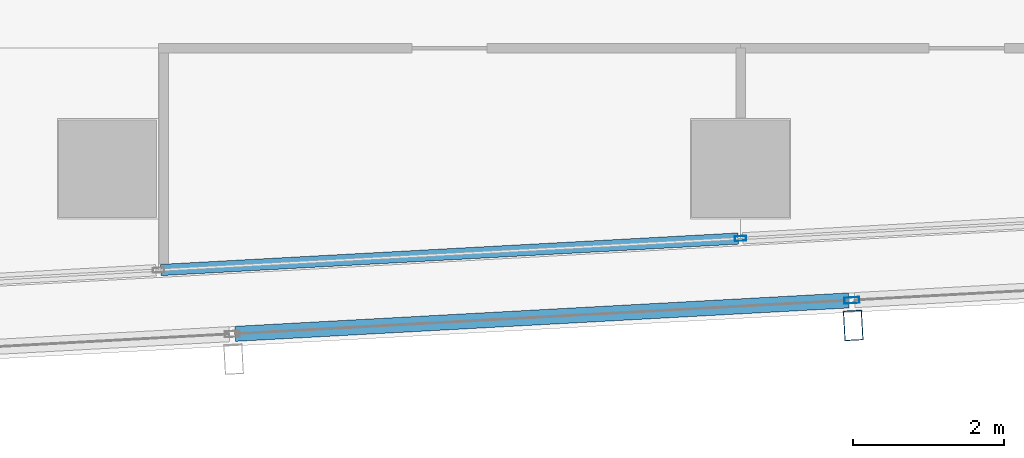
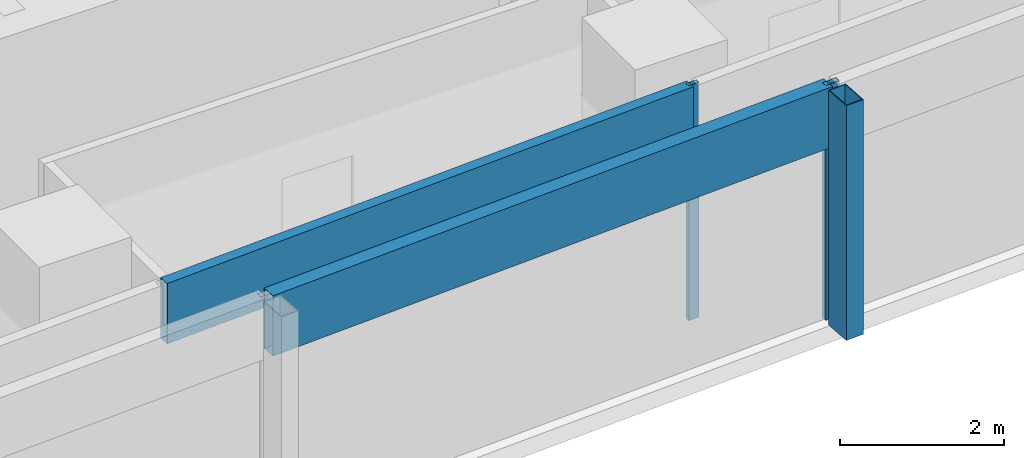
# One storey, part 10 of 29: 5 members, 2 elements without a shape of their own.
"""IFC4 building model written with IfcOpenShell, lengths in metres."""

from ifc_helpers import new_model, si_unit, direction, frame, origin, origin_2d, place, context, subcontext, project, spatial, hollow_rectangle, extrude, material, material_profile, profile_set, type_object, element, aggregate, save


model = new_model("IFC4")

# Units and contexts
model_context = context("Model", 3, precision=1e-05, world=origin(), true_north=direction((0.0, 1.0)))
body_context = subcontext(model_context, "Body", "Model", "MODEL_VIEW")
ifc_project = project(units=[si_unit("LENGTHUNIT", "METRE"), si_unit("AREAUNIT", "SQUARE_METRE"), si_unit("VOLUMEUNIT", "CUBIC_METRE"), si_unit("PLANEANGLEUNIT", "RADIAN"), si_unit("MASSUNIT", "GRAM", prefix="KILO")], contexts=[model_context])

# Site, building, storey
site_placement = place(None, origin())
site = spatial("IfcSite", under=ifc_project, at=site_placement, CompositionType="ELEMENT")
building_placement = place(site_placement, origin())
building = spatial("IfcBuilding", under=site, at=building_placement, Name="Rekha Terrace Tower", CompositionType="ELEMENT")
storey_placement = place(building_placement, frame((0.0, 0.0, 261.35009765625)))
storey = spatial("IfcBuildingStorey", under=building, at=storey_placement, Name="L66", CompositionType="ELEMENT", Elevation=261.35009765625)

# Curtain wall, member
ifc_material_1 = material(Name="Aluminium framing", Category="aluminium")
curtain_wall_type_1 = type_object("IfcCurtainWallType", Name="CW2 double skin outer glazing", PredefinedType="USERDEFINED", material=ifc_material_1)
curtain_wall_1_placement = place(storey_placement, origin())
curtain_wall_1 = element("IfcCurtainWall", 1, at=curtain_wall_1_placement, inside=storey, type_object=curtain_wall_type_1, Name="CW2 double skin outer glazing", ObjectType="DOUBLE SKIN OUTER GLAZING", PredefinedType="USERDEFINED")
ifc_material_2 = material(Name="Steel S355 with fluorocarbon finish", Category="steel")
ifc_material_profile_1 = material_profile(ifc_material_2, hollow_rectangle(XDim=0.25, YDim=0.39990234375, WallThickness=0.012451171875, at=origin_2d()), Name="RHS400x250x12.5")
ifc_profile_set_1 = profile_set([ifc_material_profile_1], Name="Steel S355 with fluorocarbon finish")
member_type_1 = type_object("IfcMemberType", Name="BL1 facade blade RHS 400 x 250", PredefinedType="USERDEFINED", material=ifc_profile_set_1)
member_1_placement = place(storey_placement, frame((51.894775390625, 14.719482421875, 0.0), z_axis=(0.0, 0.0, 1.0), x_axis=(0.99851982155, 0.054389024366, 0.0)))
member_1 = element("IfcMember", 2, at=member_1_placement, type_object=member_type_1, Name="Facade blade", ObjectType="FACADE BLADE", PredefinedType="USERDEFINED", context=body_context, shape_type="SweptSolid", body=[
    extrude(hollow_rectangle(XDim=0.25, YDim=0.39990234375, WallThickness=0.012451171875, at=origin_2d()), origin(), (0.0, 0.0, 1.0), 3.5),
])

# Curtain wall, members
curtain_wall_type_2 = type_object("IfcCurtainWallType", Name="CW1 double skin inner glazing", PredefinedType="USERDEFINED", material=ifc_material_1)
curtain_wall_2_placement = place(storey_placement, origin())
curtain_wall_2 = element("IfcCurtainWall", 3, at=curtain_wall_2_placement, inside=storey, type_object=curtain_wall_type_2, Name="CW1 double skin inner glazing", ObjectType="DOUBLE SKIN INNER GLAZING", PredefinedType="USERDEFINED")
ifc_material_3 = material(Name="Aluminium mullion section", Category="aluminium")
ifc_material_profile_2 = material_profile(ifc_material_3, hollow_rectangle(XDim=0.06494140625, YDim=0.14990234375, WallThickness=0.00390625, at=origin_2d()), Name="AL RHS 65x150")
ifc_profile_set_2 = profile_set([ifc_material_profile_2], Name="Aluminium mullion section")
member_type_2 = type_object("IfcMemberType", Name="CW1 mullion RHS 65 x 150", PredefinedType="MULLION", material=ifc_profile_set_2)
member_2_placement = place(storey_placement, frame((50.399169921875, 15.875, 0.0), z_axis=(0.0, 0.0, 1.0), x_axis=(-0.054388903036, 0.998519828159, 0.0)))
member_2 = element("IfcMember", 4, at=member_2_placement, type_object=member_type_2, Name="CW1 mullion 4", PredefinedType="MULLION", context=body_context, shape_type="SweptSolid", body=[
    extrude(hollow_rectangle(XDim=0.06494140625, YDim=0.14990234375, WallThickness=0.00390625, at=origin_2d()), origin(), (0.0, 0.0, 1.0), 3.5),
])
ifc_material_4 = material(Name="Insulated aluminium spandrel box", Category="aluminium")
ifc_material_profile_3 = material_profile(ifc_material_4, hollow_rectangle(XDim=0.14990234375, YDim=0.89990234375, WallThickness=0.0029296875, at=origin_2d()), Name="AL SPANDREL BOX 150x900")
ifc_profile_set_3 = profile_set([ifc_material_profile_3], Name="Insulated aluminium spandrel box")
member_type_3 = type_object("IfcMemberType", Name="CW1 spandrel transom 150 x 900", PredefinedType="USERDEFINED", material=ifc_profile_set_3)
member_3_placement = place(storey_placement, frame((42.7060546875, 15.4560546875, 3.0498046875), z_axis=(0.998520078442, 0.054384307925, 0.0), x_axis=(-0.054384307925, 0.998520078442, 0.0)))
member_3 = element("IfcMember", 5, at=member_3_placement, type_object=member_type_3, Name="CW1 spandrel transom 3", ObjectType="TRANSOM", PredefinedType="USERDEFINED", context=body_context, shape_type="SweptSolid", body=[
    extrude(hollow_rectangle(XDim=0.14990234375, YDim=0.89990234375, WallThickness=0.0029296875, at=origin_2d()), origin(), (0.0, 0.0, 1.0), 7.672119140625),
])
aggregate(curtain_wall_2, [member_2, member_3])

# Member
ifc_material_profile_4 = material_profile(ifc_material_3, hollow_rectangle(XDim=0.080078125, YDim=0.199951171875, WallThickness=0.00390625, at=origin_2d()), Name="AL RHS 80x200")
ifc_profile_set_4 = profile_set([ifc_material_profile_4], Name="Aluminium mullion section")
member_type_4 = type_object("IfcMemberType", Name="CW2 mullion RHS 80 x 200", PredefinedType="MULLION", material=ifc_profile_set_4)
member_4_placement = place(storey_placement, frame((51.87646484375, 15.05419921875, 0.0), z_axis=(0.0, 0.0, 1.0), x_axis=(-0.054388903071, 0.998519828157, 0.0)))
member_4 = element("IfcMember", 6, at=member_4_placement, type_object=member_type_4, Name="CW2 mullion 4", PredefinedType="MULLION", context=body_context, shape_type="SweptSolid", body=[
    extrude(hollow_rectangle(XDim=0.080078125, YDim=0.199951171875, WallThickness=0.00390625, at=origin_2d()), origin(), (0.0, 0.0, 1.0), 3.5),
])

ifc_material_profile_5 = material_profile(ifc_material_4, hollow_rectangle(XDim=0.199951171875, YDim=0.89990234375, WallThickness=0.0029296875, at=origin_2d()), Name="AL SPANDREL BOX 200x900")
ifc_profile_set_5 = profile_set([ifc_material_profile_5], Name="Insulated aluminium spandrel box")
member_type_5 = type_object("IfcMemberType", Name="CW2 spandrel transom 200 x 900", PredefinedType="USERDEFINED", material=ifc_profile_set_5)
member_5_placement = place(storey_placement, frame((43.693115234375, 14.6083984375, 3.0498046875), z_axis=(0.998519642092, 0.054392318914, 0.0), x_axis=(-0.054392318914, 0.998519642092, 0.0)))
member_5 = element("IfcMember", 7, at=member_5_placement, type_object=member_type_5, Name="CW2 spandrel transom 3", ObjectType="TRANSOM", PredefinedType="USERDEFINED", context=body_context, shape_type="SweptSolid", body=[
    extrude(hollow_rectangle(XDim=0.199951171875, YDim=0.89990234375, WallThickness=0.0029296875, at=origin_2d()), origin(), (0.0, 0.0, 1.0), 8.155517578125),
])

aggregate(curtain_wall_1, [member_4, member_5, member_1])

save(model, "model.ifc")
